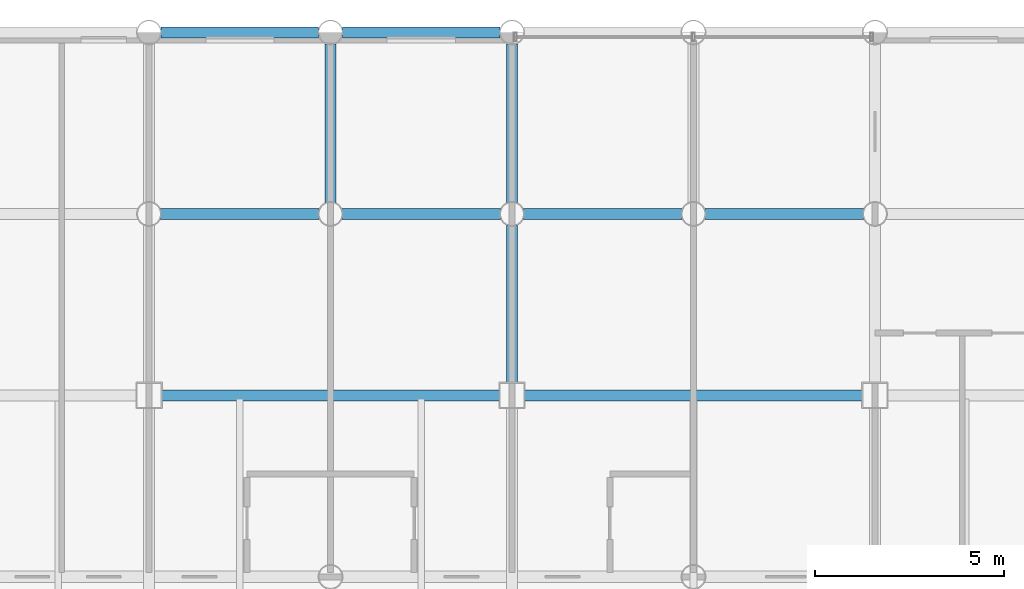
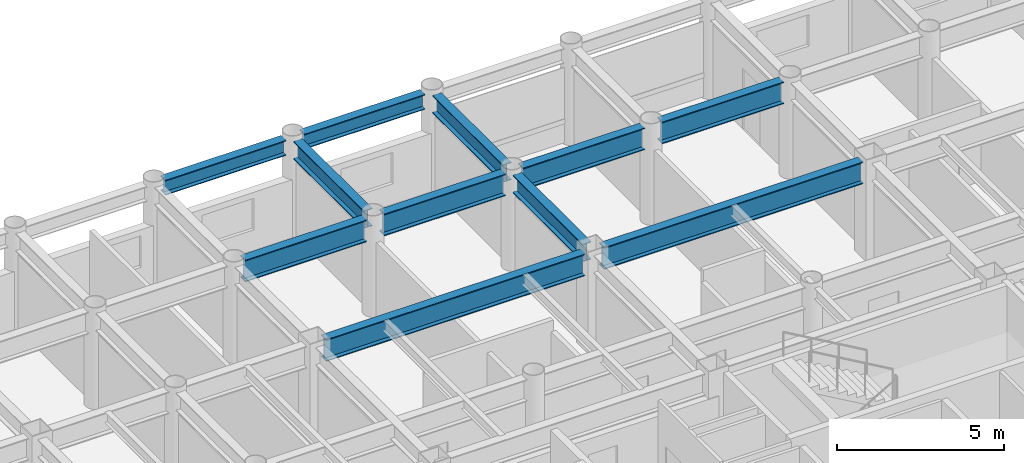
# One storey, part 12 of 22: 11 beams.
"""IFC4 building model written with IfcOpenShell, lengths in metres."""

from ifc_helpers import new_model, si_unit, direction, frame, origin, origin_2d, place, context, subcontext, project, spatial, i_section, extrude, material, material_profile, profile_set, type_object, element, save


model = new_model("IFC4")

# Units and contexts
model_context = context("Model", 3, precision=1e-05, world=origin(), true_north=direction((0.0, 1.0)))
body_context = subcontext(model_context, "Body", "Model", "MODEL_VIEW")
ifc_project = project(units=[si_unit("LENGTHUNIT", "METRE"), si_unit("AREAUNIT", "SQUARE_METRE"), si_unit("VOLUMEUNIT", "CUBIC_METRE"), si_unit("PLANEANGLEUNIT", "RADIAN"), si_unit("MASSUNIT", "GRAM", prefix="KILO")], contexts=[model_context])

# Site, building, storey
site_placement = place(None, origin())
site = spatial("IfcSite", under=ifc_project, at=site_placement, CompositionType="ELEMENT")
building_placement = place(site_placement, origin())
building = spatial("IfcBuilding", under=site, at=building_placement, Name="Kallvorn Hotel Tower", CompositionType="ELEMENT")
storey_placement = place(building_placement, frame((0.0, 0.0, 106.300048828125)))
storey = spatial("IfcBuildingStorey", under=building, at=storey_placement, Name="L25", CompositionType="ELEMENT", Elevation=106.300048828125)

# Beams
ifc_material_1 = material(Name="Structural steel S355JR", Category="steel")
ifc_material_profile_1 = material_profile(ifc_material_1, i_section(OverallWidth=0.300048828125, OverallDepth=0.550048828125, WebThickness=0.014892578125, FlangeThickness=0.029052734375, at=origin_2d()), Name="HE 550 B")
ifc_profile_set_1 = profile_set([ifc_material_profile_1], Name="Structural steel S355JR")
beam_type_1 = type_object("IfcBeamType", Name="BM_HE550B", PredefinedType="SPANDREL", material=ifc_profile_set_1)
beam_1_placement = place(storey_placement, frame((-14.080078125, 24.0, 3.244873046875), z_axis=(1.0, 0.0, 0.0), x_axis=(0.0, 1.0, 0.0)))
element("IfcBeam", 1, at=beam_1_placement, inside=storey, type_object=beam_type_1, Name="L26 Perimeter Spandrel 165", PredefinedType="SPANDREL", context=body_context, shape_type="SweptSolid", body=[
    extrude(i_section(OverallWidth=0.300048828125, OverallDepth=0.550048828125, WebThickness=0.014892578125, FlangeThickness=0.029052734375, at=origin_2d()), origin(), (0.0, 0.0, 1.0), 4.16015625),
])
beam_2_placement = place(storey_placement, frame((-9.280029296875, 24.0, 3.244873046875), z_axis=(1.0, 0.0, 0.0), x_axis=(0.0, 1.0, 0.0)))
element("IfcBeam", 2, at=beam_2_placement, inside=storey, type_object=beam_type_1, Name="L26 Perimeter Spandrel 166", PredefinedType="SPANDREL", context=body_context, shape_type="SweptSolid", body=[
    extrude(i_section(OverallWidth=0.300048828125, OverallDepth=0.550048828125, WebThickness=0.014892578125, FlangeThickness=0.029052734375, at=origin_2d()), origin(), (0.0, 0.0, 1.0), 4.159912109375),
])
ifc_material_2 = material(Name="Structural steel S355JR", Category="steel")
ifc_material_profile_2 = material_profile(ifc_material_2, i_section(OverallWidth=0.300048828125, OverallDepth=0.64990234375, WebThickness=0.01611328125, FlangeThickness=0.031005859375, at=origin_2d()), Name="HE 650 B")
ifc_profile_set_2 = profile_set([ifc_material_profile_2], Name="Structural steel S355JR")
beam_type_2 = type_object("IfcBeamType", Name="BM_HE650B", PredefinedType="BEAM", material=ifc_profile_set_2)
beam_3_placement = place(storey_placement, frame((-9.60009765625, 19.5048828125, 3.195068359375), z_axis=(0.0, 1.0, 0.0), x_axis=(-1.0, 0.0, 0.0)))
element("IfcBeam", 3, at=beam_3_placement, inside=storey, type_object=beam_type_2, Name="L26 Primary Y-Girder 104", PredefinedType="BEAM", context=body_context, shape_type="SweptSolid", body=[
    extrude(i_section(OverallWidth=0.300048828125, OverallDepth=0.64990234375, WebThickness=0.01611328125, FlangeThickness=0.031005859375, at=origin_2d()), origin(), (0.0, 0.0, 1.0), 4.190185546875),
])
beam_4_placement = place(storey_placement, frame((-4.800048828125, 14.72509765625, 3.195068359375), z_axis=(0.0, 1.0, 0.0), x_axis=(-1.0, 0.0, 0.0)))
element("IfcBeam", 4, at=beam_4_placement, inside=storey, type_object=beam_type_2, Name="L26 Primary Y-Girder 108", PredefinedType="BEAM", context=body_context, shape_type="SweptSolid", body=[
    extrude(i_section(OverallWidth=0.300048828125, OverallDepth=0.64990234375, WebThickness=0.01611328125, FlangeThickness=0.031005859375, at=origin_2d()), origin(), (0.0, 0.0, 1.0), 4.169921875),
])
beam_5_placement = place(storey_placement, frame((-4.800048828125, 19.5048828125, 3.195068359375), z_axis=(0.0, 1.0, 0.0), x_axis=(-1.0, 0.0, 0.0)))
element("IfcBeam", 5, at=beam_5_placement, inside=storey, type_object=beam_type_2, Name="L26 Primary Y-Girder 109", PredefinedType="BEAM", context=body_context, shape_type="SweptSolid", body=[
    extrude(i_section(OverallWidth=0.300048828125, OverallDepth=0.64990234375, WebThickness=0.01611328125, FlangeThickness=0.031005859375, at=origin_2d()), origin(), (0.0, 0.0, 1.0), 4.190185546875),
])
ifc_material_3 = material(Name="Structural steel S355JR", Category="steel")
ifc_material_profile_3 = material_profile(ifc_material_3, i_section(OverallWidth=0.300048828125, OverallDepth=0.800048828125, WebThickness=0.017578125, FlangeThickness=0.032958984375, at=origin_2d()), Name="HE 800 B")
ifc_profile_set_3 = profile_set([ifc_material_profile_3], Name="Structural steel S355JR")
beam_type_3 = type_object("IfcBeamType", Name="BM_HE800B", PredefinedType="BEAM", material=ifc_profile_set_3)
beam_6_placement = place(storey_placement, frame((-14.074951171875, 14.39990234375, 3.119873046875), z_axis=(1.0, 0.0, 0.0), x_axis=(0.0, 1.0, 0.0)))
element("IfcBeam", 6, at=beam_6_placement, inside=storey, type_object=beam_type_3, Name="L26 Primary X-Girder 53", PredefinedType="BEAM", context=body_context, shape_type="SweptSolid", body=[
    extrude(i_section(OverallWidth=0.300048828125, OverallDepth=0.800048828125, WebThickness=0.017578125, FlangeThickness=0.032958984375, at=origin_2d()), origin(), (0.0, 0.0, 1.0), 8.949951171875),
])
beam_7_placement = place(storey_placement, frame((-4.47509765625, 14.39990234375, 3.119873046875), z_axis=(1.0, 0.0, 0.0), x_axis=(0.0, 1.0, 0.0)))
element("IfcBeam", 7, at=beam_7_placement, inside=storey, type_object=beam_type_3, Name="L26 Primary X-Girder 54", PredefinedType="BEAM", context=body_context, shape_type="SweptSolid", body=[
    extrude(i_section(OverallWidth=0.300048828125, OverallDepth=0.800048828125, WebThickness=0.017578125, FlangeThickness=0.032958984375, at=origin_2d()), origin(), (0.0, 0.0, 1.0), 8.9501953125),
])
for number, where, z_axis, x_axis, name in (
    (8, (-14.094970703125, 19.199951171875, 3.119873046875), (1.0, 0.0, 0.0), (0.0, 1.0, 0.0), "L26 Primary X-Girder 63"),
    (9, (-9.294921875, 19.199951171875, 3.119873046875), (1.0, 0.0, 0.0), (0.0, 1.0, 0.0), "L26 Primary X-Girder 64"),
):
    element("IfcBeam", number, at=place(storey_placement, frame(where, z_axis=z_axis, x_axis=x_axis)), inside=storey, type_object=beam_type_3, Name=name, PredefinedType="BEAM", context=body_context, shape_type="SweptSolid", body=[
        extrude(i_section(OverallWidth=0.300048828125, OverallDepth=0.800048828125, WebThickness=0.017578125, FlangeThickness=0.032958984375, at=origin_2d()), origin(), (0.0, 0.0, 1.0), 4.18994140625),
    ])
for number, where, z_axis, x_axis, name in (
    (10, (-4.4951171875, 19.199951171875, 3.119873046875), (1.0, 0.0, 0.0), (0.0, 1.0, 0.0), "L26 Primary X-Girder 65"),
    (11, (0.304931640625, 19.199951171875, 3.119873046875), (1.0, 0.0, 0.0), (0.0, 1.0, 0.0), "L26 Primary X-Girder 66"),
):
    element("IfcBeam", number, at=place(storey_placement, frame(where, z_axis=z_axis, x_axis=x_axis)), inside=storey, type_object=beam_type_3, Name=name, PredefinedType="BEAM", context=body_context, shape_type="SweptSolid", body=[
        extrude(i_section(OverallWidth=0.300048828125, OverallDepth=0.800048828125, WebThickness=0.017578125, FlangeThickness=0.032958984375, at=origin_2d()), origin(), (0.0, 0.0, 1.0), 4.190185546875),
    ])

save(model, "model.ifc")
